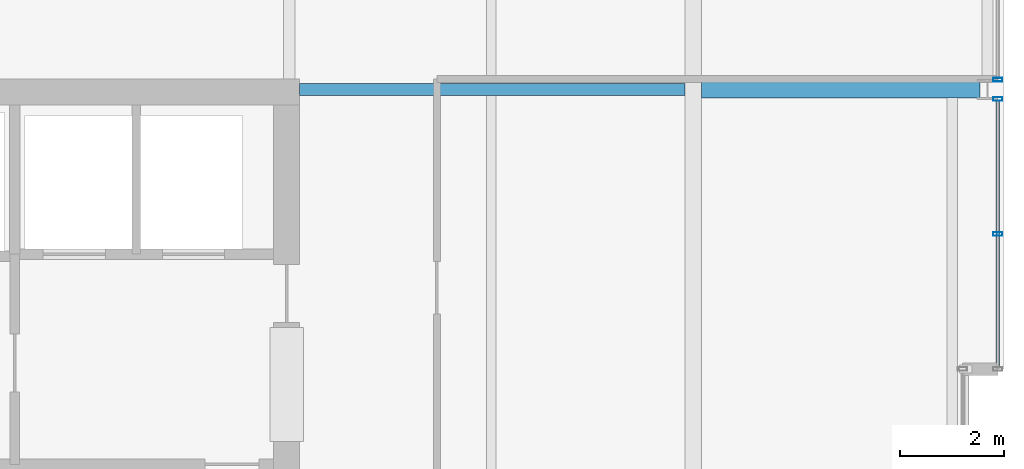
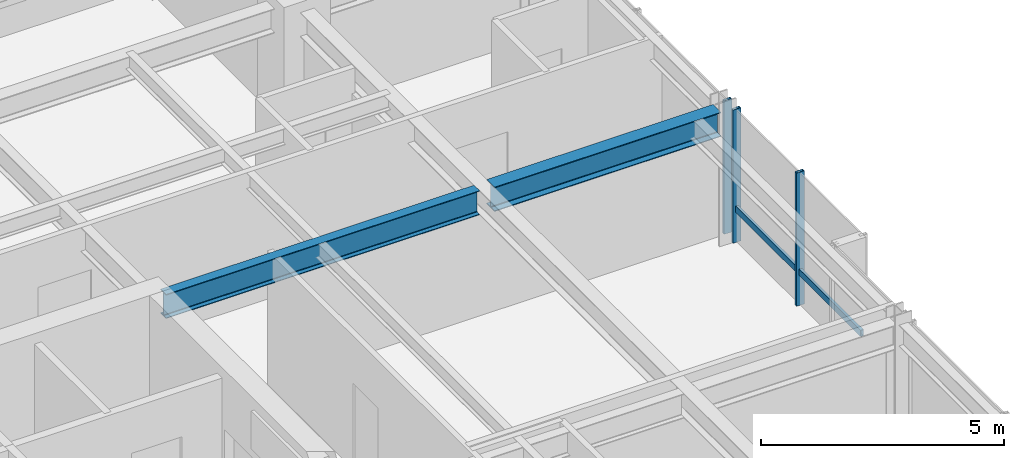
# One storey, part 21 of 31: 4 members, 2 beams, 2 elements without a shape of their own.
"""IFC4 building model written with IfcOpenShell, lengths in metres."""

from ifc_helpers import new_model, si_unit, direction, frame, origin, origin_2d, place, context, subcontext, project, spatial, hollow_rectangle, i_section, extrude, material, layer, layer_set, material_profile, profile_set, type_object, element, aggregate, save


model = new_model("IFC4")

# Units and contexts
model_context = context("Model", 3, precision=1e-05, world=origin(), true_north=direction((0.0, 1.0)))
body_context = subcontext(model_context, "Body", "Model", "MODEL_VIEW")
ifc_project = project(units=[si_unit("LENGTHUNIT", "METRE"), si_unit("AREAUNIT", "SQUARE_METRE"), si_unit("VOLUMEUNIT", "CUBIC_METRE"), si_unit("PLANEANGLEUNIT", "RADIAN"), si_unit("MASSUNIT", "GRAM", prefix="KILO")], contexts=[model_context])

# Site, building, storey
site_placement = place(None, origin())
site = spatial("IfcSite", under=ifc_project, at=site_placement, CompositionType="ELEMENT")
building_placement = place(site_placement, origin())
building = spatial("IfcBuilding", under=site, at=building_placement, Name="Drelvath Grand Hotel", CompositionType="ELEMENT")
storey_placement = place(building_placement, frame((0.0, 0.0, 219.5)))
storey = spatial("IfcBuildingStorey", under=building, at=storey_placement, Name="L57", CompositionType="ELEMENT", Elevation=219.5)

# Curtain wall, members
ifc_material_1 = material(Name="Platinum-Mist Anodised Aluminium Frame", Category="aluminium")
ifc_layer = layer(ifc_material_1, 0.199951171875)
ifc_layer_set = layer_set([ifc_layer], Name="Platinum-Mist Anodised Aluminium Frame")
curtain_wall_type = type_object("IfcCurtainWallType", Name="Stick Curtain Wall CW-05 Platinum Mist High-Rise", PredefinedType="NOTDEFINED", material=ifc_layer_set)
curtain_wall_1_placement = place(storey_placement, origin())
curtain_wall_1 = element("IfcCurtainWall", 1, at=curtain_wall_1_placement, inside=storey, type_object=curtain_wall_type, Name="L57 CW-05 Curtain Wall CW05-L57-EN1", PredefinedType="NOTDEFINED")
ifc_material_profile_1 = material_profile(ifc_material_1, hollow_rectangle(XDim=0.06494140625, YDim=0.159912109375, WallThickness=0.00390625, at=origin_2d()), Name="HSS160X65X4")
ifc_profile_set_1 = profile_set([ifc_material_profile_1], Name="Platinum-Mist Anodised Aluminium Frame")
member_type_1 = type_object("IfcMemberType", Name="Curtain Wall Horizontal Transom CW-05 HSS160X65X4", PredefinedType="USERDEFINED", material=ifc_profile_set_1)
member_1_placement = place(storey_placement, frame((22.080078125, 35.1748046875, 0.8349609375), z_axis=(0.0, -1.0, 0.0), x_axis=(1.0, 0.0, 0.0)))
member_1 = element("IfcMember", 2, at=member_1_placement, type_object=member_type_1, Name="CW05-L57-EN1 Sill Transom", ObjectType="TRANSOM", PredefinedType="USERDEFINED", context=body_context, shape_type="SweptSolid", body=[
    extrude(hollow_rectangle(XDim=0.06494140625, YDim=0.159912109375, WallThickness=0.00390625, at=origin_2d()), origin(), (0.0, 0.0, 1.0), 5.134765625),
])
ifc_material_profile_2 = material_profile(ifc_material_1, hollow_rectangle(XDim=0.074951171875, YDim=0.179931640625, WallThickness=0.0048828125, at=origin_2d()), Name="HSS180X75X5")
ifc_profile_set_2 = profile_set([ifc_material_profile_2], Name="Platinum-Mist Anodised Aluminium Frame")
member_type_2 = type_object("IfcMemberType", Name="Curtain Wall Vertical Mullion CW-05 HSS180X75X5", PredefinedType="MULLION", material=ifc_profile_set_2)
member_2_placement = place(storey_placement, frame((22.080078125, 35.214599609375, 0.0), z_axis=(0.0, 0.0, 1.0), x_axis=(0.0, 1.0, 0.0)))
member_2 = element("IfcMember", 3, at=member_2_placement, type_object=member_type_2, Name="CW05-L57-EN1 Mullion 1", PredefinedType="MULLION", context=body_context, shape_type="SweptSolid", body=[
    extrude(hollow_rectangle(XDim=0.074951171875, YDim=0.179931640625, WallThickness=0.0048828125, at=origin_2d()), origin(), (0.0, 0.0, 1.0), 3.340087890625),
])
member_3_placement = place(storey_placement, frame((22.080078125, 32.607421875, 0.0), z_axis=(0.0, 0.0, 1.0), x_axis=(0.0, 1.0, 0.0)))
member_3 = element("IfcMember", 4, at=member_3_placement, type_object=member_type_2, Name="CW05-L57-EN1 Mullion 2", PredefinedType="MULLION", context=body_context, shape_type="SweptSolid", body=[
    extrude(hollow_rectangle(XDim=0.074951171875, YDim=0.179931640625, WallThickness=0.0048828125, at=origin_2d()), origin(), (0.0, 0.0, 1.0), 3.340087890625),
])
aggregate(curtain_wall_1, [member_2, member_3, member_1])

# Curtain wall, member
curtain_wall_2_placement = place(storey_placement, origin())
curtain_wall_2 = element("IfcCurtainWall", 5, at=curtain_wall_2_placement, inside=storey, type_object=curtain_wall_type, Name="L57 CW-05 Curtain Wall CW05-L57-EN2", PredefinedType="NOTDEFINED")
member_4_placement = place(storey_placement, frame((22.080078125, 35.585205078125, 0.0), z_axis=(0.0, 0.0, 1.0), x_axis=(0.0, 1.0, 0.0)))
member_4 = element("IfcMember", 6, at=member_4_placement, type_object=member_type_2, Name="CW05-L57-EN2 Mullion 3", PredefinedType="MULLION", context=body_context, shape_type="SweptSolid", body=[
    extrude(hollow_rectangle(XDim=0.074951171875, YDim=0.179931640625, WallThickness=0.0048828125, at=origin_2d()), origin(), (0.0, 0.0, 1.0), 3.340087890625),
])
aggregate(curtain_wall_2, [member_4])

# Beams
ifc_material_2 = material(Name="Steel ASTM A992 Gr 50", Category="steel")
ifc_material_profile_3 = material_profile(ifc_material_2, i_section(OverallWidth=0.323974609375, OverallDepth=0.611083984375, WebThickness=0.0126953125, FlangeThickness=0.01904296875, FilletRadius=0.02197265625, at=origin_2d()), Name="W24X104")
ifc_profile_set_3 = profile_set([ifc_material_profile_3], Name="Steel ASTM A992 Gr 50")
beam_type_1 = type_object("IfcBeamType", Name="Primary Floor Girder W24X104", PredefinedType="BEAM", material=ifc_profile_set_3)
beam_1_placement = place(storey_placement, frame((16.362060546875, 35.39990234375, 3.034423828125), z_axis=(1.0, 0.0, 0.0), x_axis=(0.0, 1.0, 0.0)))
element("IfcBeam", 7, at=beam_1_placement, inside=storey, type_object=beam_type_1, Name="L57 East Wing Girder F", PredefinedType="BEAM", context=body_context, shape_type="SweptSolid", body=[
    extrude(i_section(OverallWidth=0.323974609375, OverallDepth=0.611083984375, WebThickness=0.0126953125, FlangeThickness=0.01904296875, FilletRadius=0.02197265625, at=origin_2d()), origin(), (0.0, 0.0, 1.0), 5.3779296875),
])
ifc_material_profile_4 = material_profile(ifc_material_2, i_section(OverallWidth=0.228271484375, OverallDepth=0.607666015625, WebThickness=0.01123046875, FlangeThickness=0.017333984375, FilletRadius=0.02001953125, at=origin_2d()), Name="W24X76")
ifc_profile_set_4 = profile_set([ifc_material_profile_4], Name="Steel ASTM A992 Gr 50")
beam_type_2 = type_object("IfcBeamType", Name="Primary Floor Girder W24X76", PredefinedType="BEAM", material=ifc_profile_set_4)
beam_2_placement = place(storey_placement, frame((8.60009765625, 35.39990234375, 3.0361328125), z_axis=(1.0, 0.0, 0.0), x_axis=(0.0, 1.0, 0.0)))
element("IfcBeam", 8, at=beam_2_placement, inside=storey, type_object=beam_type_2, Name="L57 East Core Tie F", PredefinedType="BEAM", context=body_context, shape_type="SweptSolid", body=[
    extrude(i_section(OverallWidth=0.228271484375, OverallDepth=0.607666015625, WebThickness=0.01123046875, FlangeThickness=0.017333984375, FilletRadius=0.02001953125, at=origin_2d()), origin(), (0.0, 0.0, 1.0), 7.43798828125),
])

save(model, "model.ifc")
